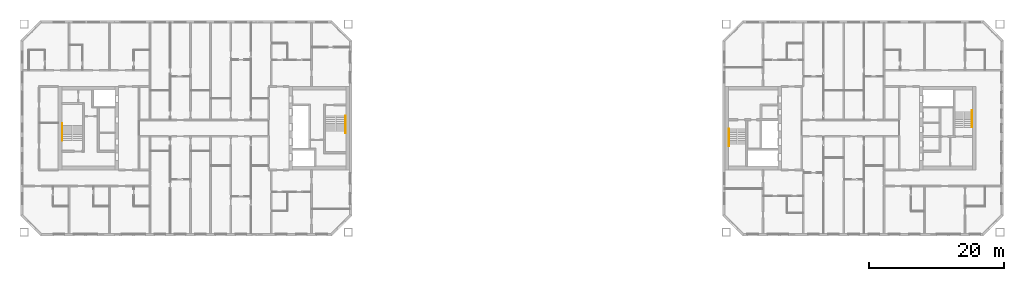
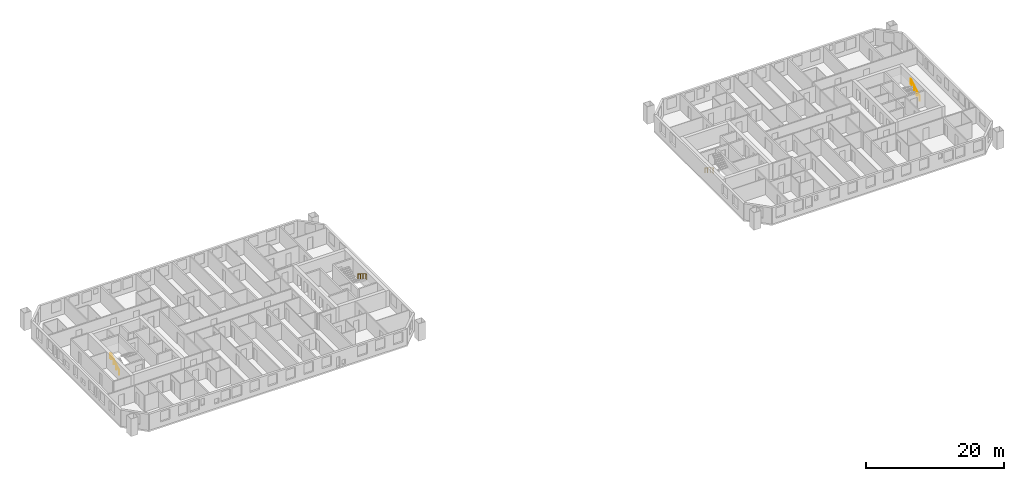
# One storey, part 16 of 16: 4 railings.
"""IFC4 building model written with IfcOpenShell, lengths in metres."""

from ifc_helpers import new_model, si_unit, direction, frame, origin, origin_2d, place, context, subcontext, project, spatial, circle, extrude, material, type_object, element, save


model = new_model("IFC4")

# Units and contexts
model_context = context("Model", 3, precision=1e-05, world=origin(), true_north=direction((0.0, 1.0)))
body_context = subcontext(model_context, "Body", "Model", "MODEL_VIEW")
ifc_project = project(units=[si_unit("LENGTHUNIT", "METRE"), si_unit("AREAUNIT", "SQUARE_METRE"), si_unit("VOLUMEUNIT", "CUBIC_METRE"), si_unit("PLANEANGLEUNIT", "RADIAN"), si_unit("MASSUNIT", "GRAM", prefix="KILO")], contexts=[model_context])

# Site, building, storey
site_placement = place(None, origin())
site = spatial("IfcSite", under=ifc_project, at=site_placement, CompositionType="ELEMENT")
building_placement = place(site_placement, origin())
building = spatial("IfcBuilding", under=site, at=building_placement, Name="Tuart Gate Housing", CompositionType="ELEMENT")
storey_placement = place(building_placement, frame((0.0, 0.0, 129.89990234375)))
storey = spatial("IfcBuildingStorey", under=building, at=storey_placement, Name="L36", CompositionType="ELEMENT", Elevation=129.89990234375)

# Railings
ifc_material = material(Name="Stainless steel", Category="steel")
railing_type = type_object("IfcRailingType", Name="Stair handrail 900", PredefinedType="HANDRAIL", material=ifc_material)
railing_1_placement = place(storey_placement, frame((75.030029296875, 71.824951171875, 0.17236328125)))
element("IfcRailing", 1, at=railing_1_placement, inside=storey, type_object=railing_type, Name="Stair handrail SA1.1", PredefinedType="HANDRAIL", context=body_context, shape_type="SweptSolid", body=[
    extrude(circle(Radius=0.02392578125, at=origin_2d()), frame((0.0, 0.0, 0.8759765625), z_axis=(0.0, -0.85178898068, 0.523885037382), x_axis=(1.0, 0.0, 0.0)), (0.0, 0.0, 1.0), 2.629638671875),
    extrude(circle(Radius=0.02392578125, at=origin_2d()), frame((0.0, -2.239990234375, 2.25341796875), z_axis=(0.0, -1.0, 0.0), x_axis=(1.0, 0.0, 0.0)), (0.0, 0.0, 1.0), 0.300048828125),
    extrude(circle(Radius=0.02099609375, at=origin_2d()), origin(), (0.0, 0.0, 1.0), 0.851806640625),
    extrude(circle(Radius=0.02099609375, at=origin_2d()), frame((0.0, -0.74658203125, 0.459228515625)), (0.0, 0.0, 1.0), 0.851806640625),
    extrude(circle(Radius=0.02099609375, at=origin_2d()), frame((0.0, -1.493408203125, 0.91845703125)), (0.0, 0.0, 1.0), 0.851806640625),
    extrude(circle(Radius=0.02099609375, at=origin_2d()), frame((0.0, -2.239990234375, 1.377685546875)), (0.0, 0.0, 1.0), 0.851806640625),
    extrude(circle(Radius=0.02099609375, at=origin_2d()), frame((0.0, -2.5400390625, 1.377685546875)), (0.0, 0.0, 1.0), 0.851806640625),
])
railing_2_placement = place(storey_placement, frame((32.969970703125, 68.175048828125, 0.17236328125)))
element("IfcRailing", 2, at=railing_2_placement, inside=storey, type_object=railing_type, Name="Stair handrail SA2.1", PredefinedType="HANDRAIL", context=body_context, shape_type="SweptSolid", body=[
    extrude(circle(Radius=0.02392578125, at=origin_2d()), frame((0.0, 0.0, 0.8759765625), z_axis=(0.0, 0.85178898068, 0.523885037382), x_axis=(-1.0, 0.0, 0.0)), (0.0, 0.0, 1.0), 2.629638671875),
    extrude(circle(Radius=0.02392578125, at=origin_2d()), frame((0.0, 2.239990234375, 2.25341796875), z_axis=(0.0, 1.0, 0.0), x_axis=(-1.0, 0.0, 0.0)), (0.0, 0.0, 1.0), 0.300048828125),
    extrude(circle(Radius=0.02099609375, at=origin_2d()), origin(), (0.0, 0.0, 1.0), 0.851806640625),
    extrude(circle(Radius=0.02099609375, at=origin_2d()), frame((0.0, 0.74658203125, 0.459228515625)), (0.0, 0.0, 1.0), 0.851806640625),
    extrude(circle(Radius=0.02099609375, at=origin_2d()), frame((0.0, 1.493408203125, 0.91845703125)), (0.0, 0.0, 1.0), 0.851806640625),
    extrude(circle(Radius=0.02099609375, at=origin_2d()), frame((0.0, 2.239990234375, 1.377685546875)), (0.0, 0.0, 1.0), 0.851806640625),
    extrude(circle(Radius=0.02099609375, at=origin_2d()), frame((0.0, 2.5400390625, 1.377685546875)), (0.0, 0.0, 1.0), 0.851806640625),
])
railing_3_placement = place(storey_placement, frame((131.969970703125, 69.875, 0.17236328125)))
element("IfcRailing", 3, at=railing_3_placement, inside=storey, type_object=railing_type, Name="Stair handrail SB1.1", PredefinedType="HANDRAIL", context=body_context, shape_type="SweptSolid", body=[
    extrude(circle(Radius=0.02392578125, at=origin_2d()), frame((0.0, 0.0, 0.8759765625), z_axis=(0.0, -0.85178898068, 0.523885037382), x_axis=(1.0, 0.0, 0.0)), (0.0, 0.0, 1.0), 2.629638671875),
    extrude(circle(Radius=0.02392578125, at=origin_2d()), frame((0.0, -2.239990234375, 2.25341796875), z_axis=(0.0, -1.0, 0.0), x_axis=(1.0, 0.0, 0.0)), (0.0, 0.0, 1.0), 0.300048828125),
    extrude(circle(Radius=0.02099609375, at=origin_2d()), origin(), (0.0, 0.0, 1.0), 0.851806640625),
    extrude(circle(Radius=0.02099609375, at=origin_2d()), frame((0.0, -0.74658203125, 0.459228515625)), (0.0, 0.0, 1.0), 0.851806640625),
    extrude(circle(Radius=0.02099609375, at=origin_2d()), frame((0.0, -1.493408203125, 0.91845703125)), (0.0, 0.0, 1.0), 0.851806640625),
    extrude(circle(Radius=0.02099609375, at=origin_2d()), frame((0.0, -2.239990234375, 1.377685546875)), (0.0, 0.0, 1.0), 0.851806640625),
    extrude(circle(Radius=0.02099609375, at=origin_2d()), frame((0.0, -2.5400390625, 1.377685546875)), (0.0, 0.0, 1.0), 0.851806640625),
])
railing_4_placement = place(storey_placement, frame((168.030029296875, 70.125, 0.17236328125)))
element("IfcRailing", 4, at=railing_4_placement, inside=storey, type_object=railing_type, Name="Stair handrail SB2.1", PredefinedType="HANDRAIL", context=body_context, shape_type="SweptSolid", body=[
    extrude(circle(Radius=0.02392578125, at=origin_2d()), frame((0.0, 0.0, 0.8759765625), z_axis=(0.0, 0.85178898068, 0.523885037382), x_axis=(-1.0, 0.0, 0.0)), (0.0, 0.0, 1.0), 2.629638671875),
    extrude(circle(Radius=0.02392578125, at=origin_2d()), frame((0.0, 2.239990234375, 2.25341796875), z_axis=(0.0, 1.0, 0.0), x_axis=(-1.0, 0.0, 0.0)), (0.0, 0.0, 1.0), 0.300048828125),
    extrude(circle(Radius=0.02099609375, at=origin_2d()), origin(), (0.0, 0.0, 1.0), 0.851806640625),
    extrude(circle(Radius=0.02099609375, at=origin_2d()), frame((0.0, 0.74658203125, 0.459228515625)), (0.0, 0.0, 1.0), 0.851806640625),
    extrude(circle(Radius=0.02099609375, at=origin_2d()), frame((0.0, 1.493408203125, 0.91845703125)), (0.0, 0.0, 1.0), 0.851806640625),
    extrude(circle(Radius=0.02099609375, at=origin_2d()), frame((0.0, 2.239990234375, 1.377685546875)), (0.0, 0.0, 1.0), 0.851806640625),
    extrude(circle(Radius=0.02099609375, at=origin_2d()), frame((0.0, 2.5400390625, 1.377685546875)), (0.0, 0.0, 1.0), 0.851806640625),
])

save(model, "model.ifc")
